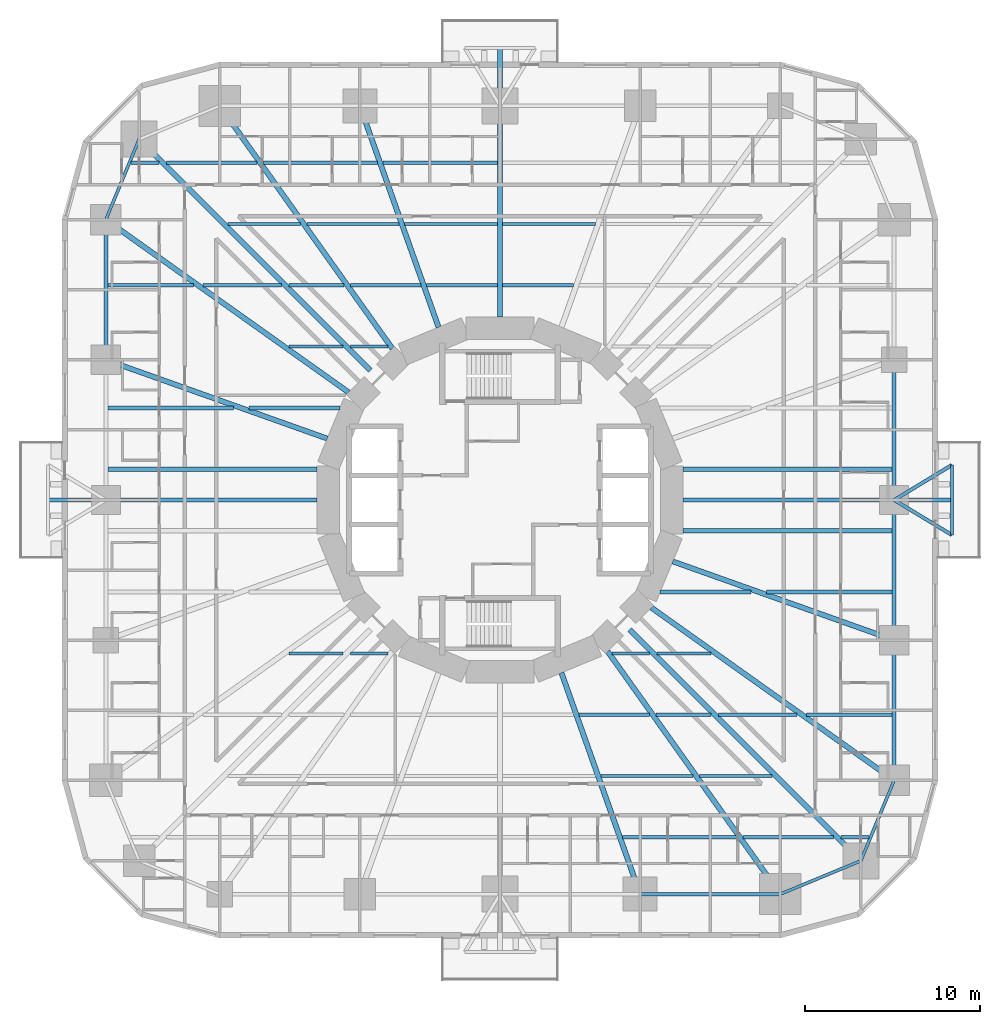
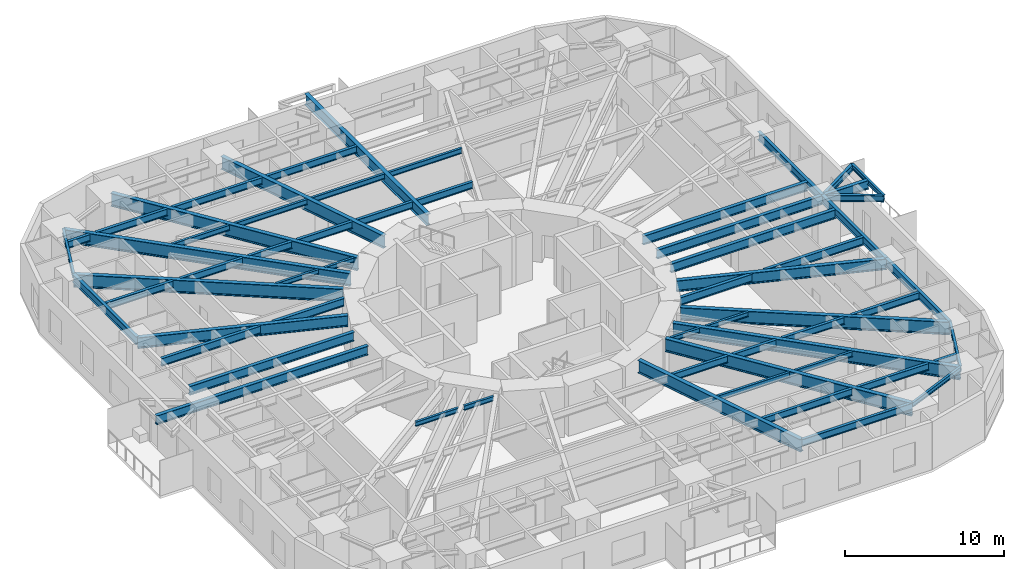
# One storey, part 2 of 14: 60 beams.
"""IFC4 building model written with IfcOpenShell, lengths in metres."""

from ifc_helpers import new_model, si_unit, direction, frame, origin, origin_2d, place, context, subcontext, project, spatial, i_section, extrude, material, material_profile, profile_set, type_object, element, save


model = new_model("IFC4")

# Units and contexts
model_context = context("Model", 3, precision=1e-05, world=origin(), true_north=direction((0.0, 1.0)))
body_context = subcontext(model_context, "Body", "Model", "MODEL_VIEW")
ifc_project = project(units=[si_unit("LENGTHUNIT", "METRE"), si_unit("AREAUNIT", "SQUARE_METRE"), si_unit("VOLUMEUNIT", "CUBIC_METRE"), si_unit("PLANEANGLEUNIT", "RADIAN"), si_unit("MASSUNIT", "GRAM", prefix="KILO")], contexts=[model_context])

# Site, building, storey
site_placement = place(None, origin())
site = spatial("IfcSite", under=ifc_project, at=site_placement, CompositionType="ELEMENT")
building_placement = place(site_placement, origin())
building = spatial("IfcBuilding", under=site, at=building_placement, Name="Nakasero Lantern House", CompositionType="ELEMENT")
storey_placement = place(building_placement, frame((0.0, 0.0, 23.699951171875)))
storey = spatial("IfcBuildingStorey", under=building, at=storey_placement, Name="L05", CompositionType="ELEMENT", Elevation=23.699951171875)

# Beams
ifc_material_1 = material(Name="Steel S355", Category="steel")
ifc_material_profile_1 = material_profile(ifc_material_1, i_section(OverallWidth=0.199462890625, OverallDepth=0.491943359375, WebThickness=0.01806640625, FlangeThickness=0.031982421875, FilletRadius=0.01025390625, at=origin_2d()), Name="UB 457x191x161")
ifc_profile_set_1 = profile_set([ifc_material_profile_1], Name="Steel S355")
beam_type_1 = type_object("IfcBeamType", Name="Balcony splay beam UB 457x191x161", PredefinedType="BEAM", material=ifc_profile_set_1)
for number, where, z_axis, x_axis, name in (
    (1, (22.5, 0.0, 3.404052734375), (0.855201230787, 0.518296107317, 0.0), (-0.518296107317, 0.855201230787, 0.0), "Balcony splay beam L06 B1-C03A"),
    (2, (22.5, 0.0, 3.404052734375), (0.855201230787, -0.518296107317, 0.0), (0.518296107317, 0.855201230787, 0.0), "Balcony splay beam L06 B1-C03B"),
):
    element("IfcBeam", number, at=place(storey_placement, frame(where, z_axis=z_axis, x_axis=x_axis)), inside=storey, type_object=beam_type_1, Name=name, PredefinedType="BEAM", context=body_context, shape_type="SweptSolid", body=[
        extrude(i_section(OverallWidth=0.199462890625, OverallDepth=0.491943359375, WebThickness=0.01806640625, FlangeThickness=0.031982421875, FilletRadius=0.01025390625, at=origin_2d()), origin(), (0.0, 0.0, 1.0), 3.85888671875),
    ])
ifc_material_2 = material(Name="Steel S355", Category="steel")
ifc_material_profile_2 = material_profile(ifc_material_2, i_section(OverallWidth=0.17138671875, OverallDepth=0.35498046875, WebThickness=0.00732421875, FlangeThickness=0.011474609375, FilletRadius=0.01025390625, at=origin_2d()), Name="UB 356x171x51")
ifc_profile_set_2 = profile_set([ifc_material_profile_2], Name="Steel S355")
beam_type_2 = type_object("IfcBeamType", Name="Balcony tie beam UB 356x171x51", PredefinedType="BEAM", material=ifc_profile_set_2)
beam_1_placement = place(storey_placement, frame((25.800048828125, 2.0, 3.47265625), z_axis=(0.0, -1.0, 0.0), x_axis=(1.0, 0.0, 0.0)))
element("IfcBeam", 3, at=beam_1_placement, inside=storey, type_object=beam_type_2, Name="Balcony tie beam L06 B1-C03", PredefinedType="BEAM", context=body_context, shape_type="SweptSolid", body=[
    extrude(i_section(OverallWidth=0.17138671875, OverallDepth=0.35498046875, WebThickness=0.00732421875, FlangeThickness=0.011474609375, FilletRadius=0.01025390625, at=origin_2d()), origin(), (0.0, 0.0, 1.0), 4.0),
])
ifc_material_3 = material(Name="Steel S355", Category="steel")
ifc_material_profile_3 = material_profile(ifc_material_3, i_section(OverallWidth=0.17138671875, OverallDepth=0.35498046875, WebThickness=0.00732421875, FlangeThickness=0.011474609375, FilletRadius=0.01025390625, at=origin_2d()), Name="UB 356x171x51")
ifc_profile_set_3 = profile_set([ifc_material_profile_3], Name="Steel S355")
beam_type_3 = type_object("IfcBeamType", Name="Infill beam UB 356x171x51", PredefinedType="JOIST", material=ifc_profile_set_3)
beam_2_placement = place(storey_placement, frame((-12.0458984375, -8.75, 3.47265625), z_axis=(1.0, 0.0, 0.0), x_axis=(0.0, 1.0, 0.0)))
element("IfcBeam", 4, at=beam_2_placement, inside=storey, type_object=beam_type_3, Name="Infill beam L06 05.1", PredefinedType="JOIST", context=body_context, shape_type="SweptSolid", body=[
    extrude(i_section(OverallWidth=0.17138671875, OverallDepth=0.35498046875, WebThickness=0.00732421875, FlangeThickness=0.011474609375, FilletRadius=0.01025390625, at=origin_2d()), origin(), (0.0, 0.0, 1.0), 3.083740234375),
])
for number, where, z_axis, x_axis, name in (
    (5, (-8.537841796875, -8.75, 3.47265625), (1.0, 0.0, 0.0), (0.0, 1.0, 0.0), "Infill beam L06 05.2"),
    (6, (6.40625, -8.75, 3.47265625), (1.0, 0.0, 0.0), (0.0, 1.0, 0.0), "Infill beam L06 05.3"),
):
    element("IfcBeam", number, at=place(storey_placement, frame(where, z_axis=z_axis, x_axis=x_axis)), inside=storey, type_object=beam_type_3, Name=name, PredefinedType="JOIST", context=body_context, shape_type="SweptSolid", body=[
        extrude(i_section(OverallWidth=0.17138671875, OverallDepth=0.35498046875, WebThickness=0.00732421875, FlangeThickness=0.011474609375, FilletRadius=0.01025390625, at=origin_2d()), origin(), (0.0, 0.0, 1.0), 2.131591796875),
    ])
for number, where, z_axis, x_axis, name in (
    (7, (8.962158203125, -8.75, 3.47265625), (1.0, 0.0, 0.0), (0.0, 1.0, 0.0), "Infill beam L06 05.4"),
    (8, (-12.0458984375, 8.75, 3.47265625), (1.0, 0.0, 0.0), (0.0, 1.0, 0.0), "Infill beam L06 10.1"),
):
    element("IfcBeam", number, at=place(storey_placement, frame(where, z_axis=z_axis, x_axis=x_axis)), inside=storey, type_object=beam_type_3, Name=name, PredefinedType="JOIST", context=body_context, shape_type="SweptSolid", body=[
        extrude(i_section(OverallWidth=0.17138671875, OverallDepth=0.35498046875, WebThickness=0.00732421875, FlangeThickness=0.011474609375, FilletRadius=0.01025390625, at=origin_2d()), origin(), (0.0, 0.0, 1.0), 3.083740234375),
    ])
beam_3_placement = place(storey_placement, frame((-8.537841796875, 8.75, 3.47265625), z_axis=(1.0, 0.0, 0.0), x_axis=(0.0, 1.0, 0.0)))
element("IfcBeam", 9, at=beam_3_placement, inside=storey, type_object=beam_type_3, Name="Infill beam L06 10.2", PredefinedType="JOIST", context=body_context, shape_type="SweptSolid", body=[
    extrude(i_section(OverallWidth=0.17138671875, OverallDepth=0.35498046875, WebThickness=0.00732421875, FlangeThickness=0.011474609375, FilletRadius=0.01025390625, at=origin_2d()), origin(), (0.0, 0.0, 1.0), 2.131591796875),
])
ifc_material_4 = material(Name="Steel S355", Category="steel")
ifc_material_profile_4 = material_profile(ifc_material_4, i_section(OverallWidth=0.177978515625, OverallDepth=0.406494140625, WebThickness=0.0078125, FlangeThickness=0.0126953125, FilletRadius=0.01025390625, at=origin_2d()), Name="UB 406x178x60")
ifc_profile_set_4 = profile_set([ifc_material_profile_4], Name="Steel S355")
beam_type_4 = type_object("IfcBeamType", Name="Infill beam UB 406x178x60", PredefinedType="JOIST", material=ifc_profile_set_4)
beam_4_placement = place(storey_placement, frame((5.75927734375, -15.75, 3.44677734375), z_axis=(1.0, 0.0, 0.0), x_axis=(0.0, 1.0, 0.0)))
element("IfcBeam", 10, at=beam_4_placement, inside=storey, type_object=beam_type_4, Name="Infill beam L06 03.5", PredefinedType="JOIST", context=body_context, shape_type="SweptSolid", body=[
    extrude(i_section(OverallWidth=0.177978515625, OverallDepth=0.406494140625, WebThickness=0.0078125, FlangeThickness=0.0126953125, FilletRadius=0.01025390625, at=origin_2d()), origin(), (0.0, 0.0, 1.0), 5.256591796875),
])
for number, where, z_axis, x_axis, name in (
    (11, (11.384033203125, -15.75, 3.44677734375), (1.0, 0.0, 0.0), (0.0, 1.0, 0.0), "Infill beam L06 03.6"),
    (12, (-15.537841796875, 15.75, 3.44677734375), (1.0, 0.0, 0.0), (0.0, 1.0, 0.0), "Infill beam L06 12.1"),
):
    element("IfcBeam", number, at=place(storey_placement, frame(where, z_axis=z_axis, x_axis=x_axis)), inside=storey, type_object=beam_type_4, Name=name, PredefinedType="JOIST", context=body_context, shape_type="SweptSolid", body=[
        extrude(i_section(OverallWidth=0.177978515625, OverallDepth=0.406494140625, WebThickness=0.0078125, FlangeThickness=0.0126953125, FilletRadius=0.01025390625, at=origin_2d()), origin(), (0.0, 0.0, 1.0), 4.15380859375),
    ])
beam_5_placement = place(storey_placement, frame((-11.015869140625, 15.75, 3.44677734375), z_axis=(1.0, 0.0, 0.0), x_axis=(0.0, 1.0, 0.0)))
element("IfcBeam", 13, at=beam_5_placement, inside=storey, type_object=beam_type_4, Name="Infill beam L06 12.2", PredefinedType="JOIST", context=body_context, shape_type="SweptSolid", body=[
    extrude(i_section(OverallWidth=0.177978515625, OverallDepth=0.406494140625, WebThickness=0.0078125, FlangeThickness=0.0126953125, FilletRadius=0.01025390625, at=origin_2d()), origin(), (0.0, 0.0, 1.0), 5.256591796875),
])
for number, where, z_axis, x_axis, name in (
    (14, (-5.44091796875, 15.75, 3.44677734375), (1.0, 0.0, 0.0), (0.0, 1.0, 0.0), "Infill beam L06 12.3"),
    (15, (0.146240234375, 15.75, 3.44677734375), (1.0, 0.0, 0.0), (0.0, 1.0, 0.0), "Infill beam L06 12.4"),
):
    element("IfcBeam", number, at=place(storey_placement, frame(where, z_axis=z_axis, x_axis=x_axis)), inside=storey, type_object=beam_type_4, Name=name, PredefinedType="JOIST", context=body_context, shape_type="SweptSolid", body=[
        extrude(i_section(OverallWidth=0.177978515625, OverallDepth=0.406494140625, WebThickness=0.0078125, FlangeThickness=0.0126953125, FilletRadius=0.01025390625, at=origin_2d()), origin(), (0.0, 0.0, 1.0), 5.294677734375),
    ])
ifc_material_5 = material(Name="Steel S355", Category="steel")
ifc_material_profile_5 = material_profile(ifc_material_5, i_section(OverallWidth=0.208740234375, OverallDepth=0.5283203125, WebThickness=0.009521484375, FlangeThickness=0.01318359375, FilletRadius=0.0126953125, at=origin_2d()), Name="UB 533x210x82")
ifc_profile_set_5 = profile_set([ifc_material_profile_5], Name="Steel S355")
beam_type_5 = type_object("IfcBeamType", Name="Infill beam UB 533x210x82", PredefinedType="JOIST", material=ifc_profile_set_5)
beam_6_placement = place(storey_placement, frame((7.003662109375, -19.25, 3.385986328125), z_axis=(1.0, 0.0, 0.0), x_axis=(0.0, 1.0, 0.0)))
element("IfcBeam", 16, at=beam_6_placement, inside=storey, type_object=beam_type_5, Name="Infill beam L06 02.6", PredefinedType="JOIST", context=body_context, shape_type="SweptSolid", body=[
    extrude(i_section(OverallWidth=0.208740234375, OverallDepth=0.5283203125, WebThickness=0.009521484375, FlangeThickness=0.01318359375, FilletRadius=0.0126953125, at=origin_2d()), origin(), (0.0, 0.0, 1.0), 6.501220703125),
])
beam_7_placement = place(storey_placement, frame((13.873046875, -19.25, 3.385986328125), z_axis=(1.0, 0.0, 0.0), x_axis=(0.0, 1.0, 0.0)))
element("IfcBeam", 17, at=beam_7_placement, inside=storey, type_object=beam_type_5, Name="Infill beam L06 02.7", PredefinedType="JOIST", context=body_context, shape_type="SweptSolid", body=[
    extrude(i_section(OverallWidth=0.208740234375, OverallDepth=0.5283203125, WebThickness=0.009521484375, FlangeThickness=0.01318359375, FilletRadius=0.0126953125, at=origin_2d()), origin(), (0.0, 0.0, 1.0), 5.164794921875),
])
beam_8_placement = place(storey_placement, frame((19.462158203125, -19.25, 3.385986328125), z_axis=(1.0, 0.0, 0.0), x_axis=(0.0, 1.0, 0.0)))
element("IfcBeam", 18, at=beam_8_placement, inside=storey, type_object=beam_type_5, Name="Infill beam L06 02.8", PredefinedType="JOIST", context=body_context, shape_type="SweptSolid", body=[
    extrude(i_section(OverallWidth=0.208740234375, OverallDepth=0.5283203125, WebThickness=0.009521484375, FlangeThickness=0.01318359375, FilletRadius=0.0126953125, at=origin_2d()), origin(), (0.0, 0.0, 1.0), 1.598876953125),
])
beam_9_placement = place(storey_placement, frame((4.5146484375, -12.25, 3.385986328125), z_axis=(1.0, 0.0, 0.0), x_axis=(0.0, 1.0, 0.0)))
element("IfcBeam", 19, at=beam_9_placement, inside=storey, type_object=beam_type_5, Name="Infill beam L06 04.7", PredefinedType="JOIST", context=body_context, shape_type="SweptSolid", body=[
    extrude(i_section(OverallWidth=0.208740234375, OverallDepth=0.5283203125, WebThickness=0.009521484375, FlangeThickness=0.01318359375, FilletRadius=0.0126953125, at=origin_2d()), origin(), (0.0, 0.0, 1.0), 4.012451171875),
])
beam_10_placement = place(storey_placement, frame((8.895263671875, -12.25, 3.385986328125), z_axis=(1.0, 0.0, 0.0), x_axis=(0.0, 1.0, 0.0)))
element("IfcBeam", 20, at=beam_10_placement, inside=storey, type_object=beam_type_5, Name="Infill beam L06 04.8", PredefinedType="JOIST", context=body_context, shape_type="SweptSolid", body=[
    extrude(i_section(OverallWidth=0.208740234375, OverallDepth=0.5283203125, WebThickness=0.009521484375, FlangeThickness=0.01318359375, FilletRadius=0.0126953125, at=origin_2d()), origin(), (0.0, 0.0, 1.0), 3.142578125),
])
beam_11_placement = place(storey_placement, frame((12.462158203125, -12.25, 3.385986328125), z_axis=(1.0, 0.0, 0.0), x_axis=(0.0, 1.0, 0.0)))
element("IfcBeam", 21, at=beam_11_placement, inside=storey, type_object=beam_type_5, Name="Infill beam L06 04.9", PredefinedType="JOIST", context=body_context, shape_type="SweptSolid", body=[
    extrude(i_section(OverallWidth=0.208740234375, OverallDepth=0.5283203125, WebThickness=0.009521484375, FlangeThickness=0.01318359375, FilletRadius=0.0126953125, at=origin_2d()), origin(), (0.0, 0.0, 1.0), 4.505615234375),
])
for number, where, z_axis, x_axis, name in (
    (22, (17.4853515625, -12.25, 3.385986328125), (1.0, 0.0, 0.0), (0.0, 1.0, 0.0), "Infill beam L06 04.10"),
    (23, (-22.385498046875, 12.25, 3.385986328125), (1.0, 0.0, 0.0), (0.0, 1.0, 0.0), "Infill beam L06 11.1"),
):
    element("IfcBeam", number, at=place(storey_placement, frame(where, z_axis=z_axis, x_axis=x_axis)), inside=storey, type_object=beam_type_5, Name=name, PredefinedType="JOIST", context=body_context, shape_type="SweptSolid", body=[
        extrude(i_section(OverallWidth=0.208740234375, OverallDepth=0.5283203125, WebThickness=0.009521484375, FlangeThickness=0.01318359375, FilletRadius=0.0126953125, at=origin_2d()), origin(), (0.0, 0.0, 1.0), 4.900146484375),
    ])
beam_12_placement = place(storey_placement, frame((-16.9677734375, 12.25, 3.385986328125), z_axis=(1.0, 0.0, 0.0), x_axis=(0.0, 1.0, 0.0)))
element("IfcBeam", 24, at=beam_12_placement, inside=storey, type_object=beam_type_5, Name="Infill beam L06 11.2", PredefinedType="JOIST", context=body_context, shape_type="SweptSolid", body=[
    extrude(i_section(OverallWidth=0.208740234375, OverallDepth=0.5283203125, WebThickness=0.009521484375, FlangeThickness=0.01318359375, FilletRadius=0.0126953125, at=origin_2d()), origin(), (0.0, 0.0, 1.0), 4.505615234375),
])
beam_13_placement = place(storey_placement, frame((-12.037841796875, 12.25, 3.385986328125), z_axis=(1.0, 0.0, 0.0), x_axis=(0.0, 1.0, 0.0)))
element("IfcBeam", 25, at=beam_13_placement, inside=storey, type_object=beam_type_5, Name="Infill beam L06 11.3", PredefinedType="JOIST", context=body_context, shape_type="SweptSolid", body=[
    extrude(i_section(OverallWidth=0.208740234375, OverallDepth=0.5283203125, WebThickness=0.009521484375, FlangeThickness=0.01318359375, FilletRadius=0.0126953125, at=origin_2d()), origin(), (0.0, 0.0, 1.0), 3.142578125),
])
beam_14_placement = place(storey_placement, frame((-8.527099609375, 12.25, 3.385986328125), z_axis=(1.0, 0.0, 0.0), x_axis=(0.0, 1.0, 0.0)))
element("IfcBeam", 26, at=beam_14_placement, inside=storey, type_object=beam_type_5, Name="Infill beam L06 11.4", PredefinedType="JOIST", context=body_context, shape_type="SweptSolid", body=[
    extrude(i_section(OverallWidth=0.208740234375, OverallDepth=0.5283203125, WebThickness=0.009521484375, FlangeThickness=0.01318359375, FilletRadius=0.0126953125, at=origin_2d()), origin(), (0.0, 0.0, 1.0), 4.012451171875),
])
for number, where, z_axis, x_axis, name in (
    (27, (-4.1962890625, 12.25, 3.385986328125), (1.0, 0.0, 0.0), (0.0, 1.0, 0.0), "Infill beam L06 11.5"),
    (28, (0.146240234375, 12.25, 3.385986328125), (1.0, 0.0, 0.0), (0.0, 1.0, 0.0), "Infill beam L06 11.6"),
):
    element("IfcBeam", number, at=place(storey_placement, frame(where, z_axis=z_axis, x_axis=x_axis)), inside=storey, type_object=beam_type_5, Name=name, PredefinedType="JOIST", context=body_context, shape_type="SweptSolid", body=[
        extrude(i_section(OverallWidth=0.208740234375, OverallDepth=0.5283203125, WebThickness=0.009521484375, FlangeThickness=0.01318359375, FilletRadius=0.0126953125, at=origin_2d()), origin(), (0.0, 0.0, 1.0), 4.050048828125),
    ])
beam_15_placement = place(storey_placement, frame((-21.06103515625, 19.25, 3.385986328125), z_axis=(1.0, 0.0, 0.0), x_axis=(0.0, 1.0, 0.0)))
element("IfcBeam", 29, at=beam_15_placement, inside=storey, type_object=beam_type_5, Name="Infill beam L06 13.1", PredefinedType="JOIST", context=body_context, shape_type="SweptSolid", body=[
    extrude(i_section(OverallWidth=0.208740234375, OverallDepth=0.5283203125, WebThickness=0.009521484375, FlangeThickness=0.01318359375, FilletRadius=0.0126953125, at=origin_2d()), origin(), (0.0, 0.0, 1.0), 1.598876953125),
])
beam_16_placement = place(storey_placement, frame((-19.037841796875, 19.25, 3.385986328125), z_axis=(1.0, 0.0, 0.0), x_axis=(0.0, 1.0, 0.0)))
element("IfcBeam", 30, at=beam_16_placement, inside=storey, type_object=beam_type_5, Name="Infill beam L06 13.2", PredefinedType="JOIST", context=body_context, shape_type="SweptSolid", body=[
    extrude(i_section(OverallWidth=0.208740234375, OverallDepth=0.5283203125, WebThickness=0.009521484375, FlangeThickness=0.01318359375, FilletRadius=0.0126953125, at=origin_2d()), origin(), (0.0, 0.0, 1.0), 5.164794921875),
])
beam_17_placement = place(storey_placement, frame((-13.5048828125, 19.25, 3.385986328125), z_axis=(1.0, 0.0, 0.0), x_axis=(0.0, 1.0, 0.0)))
element("IfcBeam", 31, at=beam_17_placement, inside=storey, type_object=beam_type_5, Name="Infill beam L06 13.3", PredefinedType="JOIST", context=body_context, shape_type="SweptSolid", body=[
    extrude(i_section(OverallWidth=0.208740234375, OverallDepth=0.5283203125, WebThickness=0.009521484375, FlangeThickness=0.01318359375, FilletRadius=0.0126953125, at=origin_2d()), origin(), (0.0, 0.0, 1.0), 6.501220703125),
])
beam_18_placement = place(storey_placement, frame((-6.685302734375, 19.25, 3.385986328125), z_axis=(1.0, 0.0, 0.0), x_axis=(0.0, 1.0, 0.0)))
element("IfcBeam", 32, at=beam_18_placement, inside=storey, type_object=beam_type_5, Name="Infill beam L06 13.4", PredefinedType="JOIST", context=body_context, shape_type="SweptSolid", body=[
    extrude(i_section(OverallWidth=0.208740234375, OverallDepth=0.5283203125, WebThickness=0.009521484375, FlangeThickness=0.01318359375, FilletRadius=0.0126953125, at=origin_2d()), origin(), (0.0, 0.0, 1.0), 6.5390625),
])
ifc_material_6 = material(Name="Steel S355", Category="steel")
ifc_material_profile_6 = material_profile(ifc_material_6, i_section(OverallWidth=0.2275390625, OverallDepth=0.6025390625, WebThickness=0.010498046875, FlangeThickness=0.014892578125, FilletRadius=0.0126953125, at=origin_2d()), Name="UB 610x229x101")
ifc_profile_set_6 = profile_set([ifc_material_profile_6], Name="Steel S355")
beam_type_6 = type_object("IfcBeamType", Name="Infill beam UB 610x229x101", PredefinedType="JOIST", material=ifc_profile_set_6)
beam_19_placement = place(storey_placement, frame((9.144775390625, -5.25, 3.3486328125), z_axis=(1.0, 0.0, 0.0), x_axis=(0.0, 1.0, 0.0)))
element("IfcBeam", 33, at=beam_19_placement, inside=storey, type_object=beam_type_6, Name="Infill beam L06 06.3", PredefinedType="JOIST", context=body_context, shape_type="SweptSolid", body=[
    extrude(i_section(OverallWidth=0.2275390625, OverallDepth=0.6025390625, WebThickness=0.010498046875, FlangeThickness=0.014892578125, FilletRadius=0.0126953125, at=origin_2d()), origin(), (0.0, 0.0, 1.0), 5.184326171875),
])
for number, where, z_axis, x_axis, name in (
    (34, (15.2021484375, -5.25, 3.3486328125), (1.0, 0.0, 0.0), (0.0, 1.0, 0.0), "Infill beam L06 06.4"),
    (35, (-22.385498046875, 5.25, 3.3486328125), (1.0, 0.0, 0.0), (0.0, 1.0, 0.0), "Infill beam L06 09.1"),
):
    element("IfcBeam", number, at=place(storey_placement, frame(where, z_axis=z_axis, x_axis=x_axis)), inside=storey, type_object=beam_type_6, Name=name, PredefinedType="JOIST", context=body_context, shape_type="SweptSolid", body=[
        extrude(i_section(OverallWidth=0.2275390625, OverallDepth=0.6025390625, WebThickness=0.010498046875, FlangeThickness=0.014892578125, FilletRadius=0.0126953125, at=origin_2d()), origin(), (0.0, 0.0, 1.0), 7.183349609375),
    ])
beam_20_placement = place(storey_placement, frame((-14.3291015625, 5.25, 3.3486328125), z_axis=(1.0, 0.0, 0.0), x_axis=(0.0, 1.0, 0.0)))
element("IfcBeam", 36, at=beam_20_placement, inside=storey, type_object=beam_type_6, Name="Infill beam L06 09.2", PredefinedType="JOIST", context=body_context, shape_type="SweptSolid", body=[
    extrude(i_section(OverallWidth=0.2275390625, OverallDepth=0.6025390625, WebThickness=0.010498046875, FlangeThickness=0.014892578125, FilletRadius=0.0126953125, at=origin_2d()), origin(), (0.0, 0.0, 1.0), 5.184326171875),
])
ifc_material_7 = material(Name="Steel S355", Category="steel")
ifc_material_profile_7 = material_profile(ifc_material_7, i_section(OverallWidth=0.253662109375, OverallDepth=0.68359375, WebThickness=0.012451171875, FlangeThickness=0.01904296875, FilletRadius=0.01513671875, at=origin_2d()), Name="UB 686x254x140")
ifc_profile_set_7 = profile_set([ifc_material_profile_7], Name="Steel S355")
beam_type_7 = type_object("IfcBeamType", Name="Infill beam UB 686x254x140", PredefinedType="JOIST", material=ifc_profile_set_7)
for number, where, z_axis, x_axis, name in (
    (37, (10.457763671875, -1.75, 3.308349609375), (1.0, 0.0, 0.0), (0.0, 1.0, 0.0), "Infill beam L06 07.2"),
    (38, (-22.385498046875, 1.75, 3.308349609375), (1.0, 0.0, 0.0), (0.0, 1.0, 0.0), "Infill beam L06 08.1"),
    (39, (10.457763671875, 1.75, 3.308349609375), (1.0, 0.0, 0.0), (0.0, 1.0, 0.0), "Infill beam L06 08.2"),
):
    element("IfcBeam", number, at=place(storey_placement, frame(where, z_axis=z_axis, x_axis=x_axis)), inside=storey, type_object=beam_type_7, Name=name, PredefinedType="JOIST", context=body_context, shape_type="SweptSolid", body=[
        extrude(i_section(OverallWidth=0.253662109375, OverallDepth=0.68359375, WebThickness=0.012451171875, FlangeThickness=0.01904296875, FilletRadius=0.01513671875, at=origin_2d()), origin(), (0.0, 0.0, 1.0), 11.927734375),
    ])
ifc_material_8 = material(Name="Steel S355", Category="steel")
ifc_material_profile_8 = material_profile(ifc_material_8, i_section(OverallWidth=0.300048828125, OverallDepth=0.97021484375, WebThickness=0.01611328125, FlangeThickness=0.02099609375, FilletRadius=0.030029296875, at=origin_2d()), Name="UB 1016x305x222")
ifc_profile_set_8 = profile_set([ifc_material_profile_8], Name="Steel S355")
beam_type_8 = type_object("IfcBeamType", Name="Primary beam UB 1016x305x222, span 12 to 15 m", PredefinedType="BEAM", material=ifc_profile_set_8)
for number, where, z_axis, x_axis, name in (
    (40, (-8.0, 22.5, 3.164794921875), (0.335010745293, -0.942214307118, 0.0), (0.942214307118, 0.335010745293, 0.0), "Primary beam L06 B1-C10"),
    (41, (8.0, -22.5, 3.164794921875), (-0.335010745293, 0.942214307118, 0.0), (-0.942214307118, -0.335010745293, 0.0), "Primary beam L06 B1-C22"),
):
    element("IfcBeam", number, at=place(storey_placement, frame(where, z_axis=z_axis, x_axis=x_axis)), inside=storey, type_object=beam_type_8, Name=name, PredefinedType="BEAM", context=body_context, shape_type="SweptSolid", body=[
        extrude(i_section(OverallWidth=0.300048828125, OverallDepth=0.97021484375, WebThickness=0.01611328125, FlangeThickness=0.02099609375, FilletRadius=0.030029296875, at=origin_2d()), origin(), (0.0, 0.0, 1.0), 13.408447265625),
    ])
ifc_material_9 = material(Name="Steel S355", Category="steel")
ifc_material_profile_9 = material_profile(ifc_material_9, i_section(OverallWidth=0.300048828125, OverallDepth=0.989990234375, WebThickness=0.0166015625, FlangeThickness=0.031005859375, FilletRadius=0.030029296875, at=origin_2d()), Name="UB 1016x305x272")
ifc_profile_set_9 = profile_set([ifc_material_profile_9], Name="Steel S355")
beam_type_9 = type_object("IfcBeamType", Name="Primary beam UB 1016x305x272, span over 15 m", PredefinedType="BEAM", material=ifc_profile_set_9)
beam_21_placement = place(storey_placement, frame((22.5, -16.0, 3.155029296875), z_axis=(-0.814952159915, 0.579528236629, 0.0), x_axis=(-0.579528236629, -0.814952159915, 0.0)))
element("IfcBeam", 42, at=beam_21_placement, inside=storey, type_object=beam_type_9, Name="Primary beam L06 B1-C01", PredefinedType="BEAM", context=body_context, shape_type="SweptSolid", body=[
    extrude(i_section(OverallWidth=0.300048828125, OverallDepth=0.989990234375, WebThickness=0.0166015625, FlangeThickness=0.031005859375, FilletRadius=0.030029296875, at=origin_2d()), origin(), (0.0, 0.0, 1.0), 17.003173828125),
])
beam_22_placement = place(storey_placement, frame((-20.59619140625, 20.59619140625, 3.155029296875), z_axis=(0.707106781187, -0.707106781187, 0.0), x_axis=(0.707106781187, 0.707106781187, 0.0)))
element("IfcBeam", 43, at=beam_22_placement, inside=storey, type_object=beam_type_9, Name="Primary beam L06 B1-C12", PredefinedType="BEAM", context=body_context, shape_type="SweptSolid", body=[
    extrude(i_section(OverallWidth=0.300048828125, OverallDepth=0.989990234375, WebThickness=0.0166015625, FlangeThickness=0.031005859375, FilletRadius=0.030029296875, at=origin_2d()), origin(), (0.0, 0.0, 1.0), 18.669677734375),
])
beam_23_placement = place(storey_placement, frame((-22.5, 16.0, 3.155029296875), z_axis=(0.814952159915, -0.579528236629, 0.0), x_axis=(0.579528236629, 0.814952159915, 0.0)))
element("IfcBeam", 44, at=beam_23_placement, inside=storey, type_object=beam_type_9, Name="Primary beam L06 B1-C13", PredefinedType="BEAM", context=body_context, shape_type="SweptSolid", body=[
    extrude(i_section(OverallWidth=0.300048828125, OverallDepth=0.989990234375, WebThickness=0.0166015625, FlangeThickness=0.031005859375, FilletRadius=0.030029296875, at=origin_2d()), origin(), (0.0, 0.0, 1.0), 17.003173828125),
])
beam_24_placement = place(storey_placement, frame((20.59619140625, -20.59619140625, 3.155029296875), z_axis=(-0.707106781187, 0.707106781187, 0.0), x_axis=(-0.707106781187, -0.707106781187, 0.0)))
element("IfcBeam", 45, at=beam_24_placement, inside=storey, type_object=beam_type_9, Name="Primary beam L06 B1-C24", PredefinedType="BEAM", context=body_context, shape_type="SweptSolid", body=[
    extrude(i_section(OverallWidth=0.300048828125, OverallDepth=0.989990234375, WebThickness=0.0166015625, FlangeThickness=0.031005859375, FilletRadius=0.030029296875, at=origin_2d()), origin(), (0.0, 0.0, 1.0), 18.669677734375),
])
ifc_material_10 = material(Name="Steel S355", Category="steel")
ifc_material_profile_10 = material_profile(ifc_material_10, i_section(OverallWidth=0.300048828125, OverallDepth=1.0, WebThickness=0.01904296875, FlangeThickness=0.035888671875, FilletRadius=0.030029296875, at=origin_2d()), Name="UB 1016x305x314")
ifc_profile_set_10 = profile_set([ifc_material_profile_10], Name="Steel S355")
beam_type_10 = type_object("IfcBeamType", Name="Primary beam UB 1016x305x314, span over 15 m", PredefinedType="BEAM", material=ifc_profile_set_10)
for number, where, z_axis, x_axis, name in (
    (46, (-16.0, 22.5, 3.150146484375), (0.579528236629, -0.814952159915, 0.0), (0.814952159915, 0.579528236629, 0.0), "Primary beam L06 B1-C11"),
    (47, (16.0, -22.5, 3.150146484375), (-0.579528236629, 0.814952159915, 0.0), (-0.814952159915, -0.579528236629, 0.0), "Primary beam L06 B1-C23"),
):
    element("IfcBeam", number, at=place(storey_placement, frame(where, z_axis=z_axis, x_axis=x_axis)), inside=storey, type_object=beam_type_10, Name=name, PredefinedType="BEAM", context=body_context, shape_type="SweptSolid", body=[
        extrude(i_section(OverallWidth=0.300048828125, OverallDepth=1.0, WebThickness=0.01904296875, FlangeThickness=0.035888671875, FilletRadius=0.030029296875, at=origin_2d()), origin(), (0.0, 0.0, 1.0), 17.003173828125),
    ])
ifc_material_11 = material(Name="Steel S355", Category="steel")
ifc_material_profile_11 = material_profile(ifc_material_11, i_section(OverallWidth=0.255859375, OverallDepth=0.69287109375, WebThickness=0.014404296875, FlangeThickness=0.023681640625, FilletRadius=0.01513671875, at=origin_2d()), Name="UB 686x254x170")
ifc_profile_set_11 = profile_set([ifc_material_profile_11], Name="Steel S355")
beam_type_11 = type_object("IfcBeamType", Name="Primary beam UB 686x254x170, span 12 to 15 m", PredefinedType="BEAM", material=ifc_profile_set_11)
for number, where, z_axis, x_axis, name in (
    (48, (25.800048828125, 0.0, 3.3037109375), (-1.0, 0.0, 0.0), (0.0, -1.0, 0.0), "Primary beam L06 B1-C03"),
    (49, (-25.800048828125, 0.0, 3.3037109375), (1.0, 0.0, 0.0), (0.0, 1.0, 0.0), "Primary beam L06 B1-C15"),
):
    element("IfcBeam", number, at=place(storey_placement, frame(where, z_axis=z_axis, x_axis=x_axis)), inside=storey, type_object=beam_type_11, Name=name, PredefinedType="BEAM", context=body_context, shape_type="SweptSolid", body=[
        extrude(i_section(OverallWidth=0.255859375, OverallDepth=0.69287109375, WebThickness=0.014404296875, FlangeThickness=0.023681640625, FilletRadius=0.01513671875, at=origin_2d()), origin(), (0.0, 0.0, 1.0), 15.34228515625),
    ])
ifc_material_12 = material(Name="Steel S355", Category="steel")
ifc_material_profile_12 = material_profile(ifc_material_12, i_section(OverallWidth=0.29248046875, OverallDepth=0.8408203125, WebThickness=0.0146484375, FlangeThickness=0.02685546875, FilletRadius=0.017822265625, at=origin_2d()), Name="UB 838x292x194")
ifc_profile_set_12 = profile_set([ifc_material_profile_12], Name="Steel S355")
beam_type_12 = type_object("IfcBeamType", Name="Primary beam UB 838x292x194, span 12 to 15 m", PredefinedType="BEAM", material=ifc_profile_set_12)
beam_25_placement = place(storey_placement, frame((22.5, -8.0, 3.229736328125), z_axis=(-0.942214307118, 0.335010745293, 0.0), x_axis=(-0.335010745293, -0.942214307118, 0.0)))
element("IfcBeam", 50, at=beam_25_placement, inside=storey, type_object=beam_type_12, Name="Primary beam L06 B1-C02", PredefinedType="BEAM", context=body_context, shape_type="SweptSolid", body=[
    extrude(i_section(OverallWidth=0.29248046875, OverallDepth=0.8408203125, WebThickness=0.0146484375, FlangeThickness=0.02685546875, FilletRadius=0.017822265625, at=origin_2d()), origin(), (0.0, 0.0, 1.0), 13.408447265625),
])
beam_26_placement = place(storey_placement, frame((0.0, 25.800048828125, 3.229736328125), z_axis=(0.0, -1.0, 0.0), x_axis=(1.0, 0.0, 0.0)))
element("IfcBeam", 51, at=beam_26_placement, inside=storey, type_object=beam_type_12, Name="Primary beam L06 B1-C09", PredefinedType="BEAM", context=body_context, shape_type="SweptSolid", body=[
    extrude(i_section(OverallWidth=0.29248046875, OverallDepth=0.8408203125, WebThickness=0.0146484375, FlangeThickness=0.02685546875, FilletRadius=0.017822265625, at=origin_2d()), origin(), (0.0, 0.0, 1.0), 15.34228515625),
])
beam_27_placement = place(storey_placement, frame((-22.5, 8.0, 3.229736328125), z_axis=(0.942214307118, -0.335010745293, 0.0), x_axis=(0.335010745293, 0.942214307118, 0.0)))
element("IfcBeam", 52, at=beam_27_placement, inside=storey, type_object=beam_type_12, Name="Primary beam L06 B1-C14", PredefinedType="BEAM", context=body_context, shape_type="SweptSolid", body=[
    extrude(i_section(OverallWidth=0.29248046875, OverallDepth=0.8408203125, WebThickness=0.0146484375, FlangeThickness=0.02685546875, FilletRadius=0.017822265625, at=origin_2d()), origin(), (0.0, 0.0, 1.0), 13.408447265625),
])
ifc_material_13 = material(Name="Steel S355", Category="steel")
ifc_material_profile_13 = material_profile(ifc_material_13, i_section(OverallWidth=0.17138671875, OverallDepth=0.35498046875, WebThickness=0.00732421875, FlangeThickness=0.011474609375, FilletRadius=0.01025390625, at=origin_2d()), Name="UB 356x171x51")
ifc_profile_set_13 = profile_set([ifc_material_profile_13], Name="Steel S355")
beam_type_13 = type_object("IfcBeamType", Name="Ring beam UB 356x171x51", PredefinedType="BEAM", material=ifc_profile_set_13)
for number, where, z_axis, x_axis, name in (
    (53, (-20.59619140625, 20.59619140625, 3.47265625), (-0.382684080569, -0.923879264016, 0.0), (0.923879264016, -0.382684080569, 0.0), "Ring beam L06 B1-C12"),
    (54, (16.0, -22.5, 3.47265625), (0.923879264016, 0.382684080569, 0.0), (-0.382684080569, 0.923879264016, 0.0), "Ring beam L06 B1-C23"),
    (55, (20.59619140625, -20.59619140625, 3.47265625), (0.382684080569, 0.923879264016, 0.0), (-0.923879264016, 0.382684080569, 0.0), "Ring beam L06 B1-C24"),
):
    element("IfcBeam", number, at=place(storey_placement, frame(where, z_axis=z_axis, x_axis=x_axis)), inside=storey, type_object=beam_type_13, Name=name, PredefinedType="BEAM", context=body_context, shape_type="SweptSolid", body=[
        extrude(i_section(OverallWidth=0.17138671875, OverallDepth=0.35498046875, WebThickness=0.00732421875, FlangeThickness=0.011474609375, FilletRadius=0.01025390625, at=origin_2d()), origin(), (0.0, 0.0, 1.0), 4.974853515625),
    ])
ifc_material_14 = material(Name="Steel S355", Category="steel")
ifc_material_profile_14 = material_profile(ifc_material_14, i_section(OverallWidth=0.2099609375, OverallDepth=0.53662109375, WebThickness=0.0107421875, FlangeThickness=0.017333984375, FilletRadius=0.0126953125, at=origin_2d()), Name="UB 533x210x101")
ifc_profile_set_14 = profile_set([ifc_material_profile_14], Name="Steel S355")
beam_type_14 = type_object("IfcBeamType", Name="Ring beam UB 533x210x101", PredefinedType="BEAM", material=ifc_profile_set_14)
beam_28_placement = place(storey_placement, frame((8.0, -22.5, 3.381591796875), z_axis=(1.0, 0.0, 0.0), x_axis=(0.0, 1.0, 0.0)))
element("IfcBeam", 56, at=beam_28_placement, inside=storey, type_object=beam_type_14, Name="Ring beam L06 B1-C22", PredefinedType="BEAM", context=body_context, shape_type="SweptSolid", body=[
    extrude(i_section(OverallWidth=0.2099609375, OverallDepth=0.53662109375, WebThickness=0.0107421875, FlangeThickness=0.017333984375, FilletRadius=0.0126953125, at=origin_2d()), origin(), (0.0, 0.0, 1.0), 8.0),
])
ifc_material_15 = material(Name="Steel S355", Category="steel")
ifc_material_profile_15 = material_profile(ifc_material_15, i_section(OverallWidth=0.22900390625, OverallDepth=0.6123046875, WebThickness=0.011962890625, FlangeThickness=0.01953125, FilletRadius=0.0126953125, at=origin_2d()), Name="UB 610x229x125")
ifc_profile_set_15 = profile_set([ifc_material_profile_15], Name="Steel S355")
beam_type_15 = type_object("IfcBeamType", Name="Ring beam UB 610x229x125", PredefinedType="BEAM", material=ifc_profile_set_15)
for number, where, z_axis, x_axis, name in (
    (57, (22.5, -16.0, 3.343994140625), (0.0, 1.0, 0.0), (-1.0, 0.0, 0.0), "Ring beam L06 B1-C01"),
    (58, (22.5, -8.0, 3.343994140625), (0.0, 1.0, 0.0), (-1.0, 0.0, 0.0), "Ring beam L06 B1-C02"),
    (59, (22.5, 0.0, 3.343994140625), (0.0, 1.0, 0.0), (-1.0, 0.0, 0.0), "Ring beam L06 B1-C03"),
    (60, (-22.5, 16.0, 3.343994140625), (0.0, -1.0, 0.0), (1.0, 0.0, 0.0), "Ring beam L06 B1-C13"),
):
    element("IfcBeam", number, at=place(storey_placement, frame(where, z_axis=z_axis, x_axis=x_axis)), inside=storey, type_object=beam_type_15, Name=name, PredefinedType="BEAM", context=body_context, shape_type="SweptSolid", body=[
        extrude(i_section(OverallWidth=0.22900390625, OverallDepth=0.6123046875, WebThickness=0.011962890625, FlangeThickness=0.01953125, FilletRadius=0.0126953125, at=origin_2d()), origin(), (0.0, 0.0, 1.0), 8.0),
    ])

save(model, "model.ifc")
